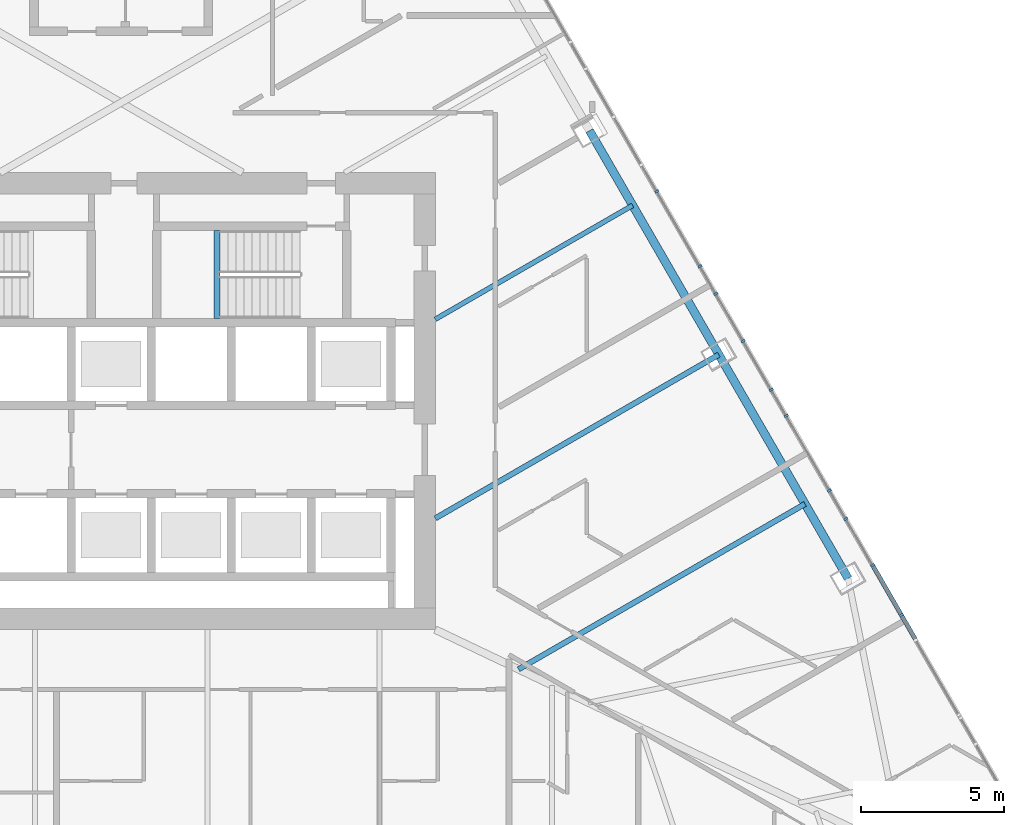
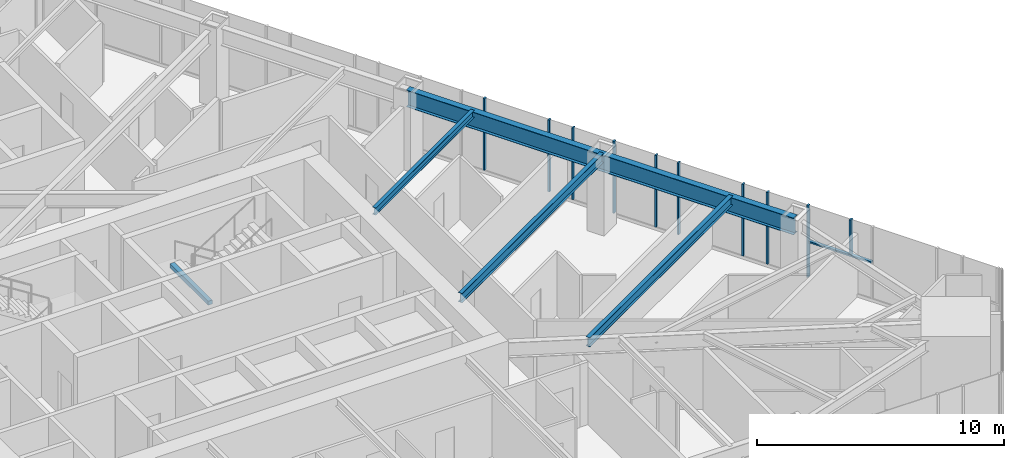
# One storey, part 7 of 32: 11 members, 5 beams, 1 element without a shape of its own.
"""IFC4 building model written with IfcOpenShell, lengths in metres."""

from ifc_helpers import new_model, si_unit, direction, frame, origin, origin_2d, place, context, subcontext, project, spatial, rectangle, i_section, extrude, material, layer, layer_set, material_profile, profile_set, type_object, element, aggregate, save


model = new_model("IFC4")

# Units and contexts
model_context = context("Model", 3, precision=1e-05, world=origin(), true_north=direction((0.0, 1.0)))
body_context = subcontext(model_context, "Body", "Model", "MODEL_VIEW")
ifc_project = project(units=[si_unit("LENGTHUNIT", "METRE"), si_unit("AREAUNIT", "SQUARE_METRE"), si_unit("VOLUMEUNIT", "CUBIC_METRE"), si_unit("PLANEANGLEUNIT", "RADIAN"), si_unit("MASSUNIT", "GRAM", prefix="KILO")], contexts=[model_context])

# Site, building, storey
site_placement = place(None, origin())
site = spatial("IfcSite", under=ifc_project, at=site_placement, CompositionType="ELEMENT")
building_placement = place(site_placement, origin())
building = spatial("IfcBuilding", under=site, at=building_placement, Name="Firuza Gate Tower and Library", CompositionType="ELEMENT")
storey_placement = place(building_placement, frame((0.0, 0.0, 163.60009765625)))
storey = spatial("IfcBuildingStorey", under=building, at=storey_placement, Name="L37", CompositionType="ELEMENT", Elevation=163.60009765625)

# Curtain wall, members
ifc_material_1 = material(Name="Aluminium 6063-T6", Category="aluminium")
ifc_layer = layer(ifc_material_1, 0.14990234375)
ifc_layer_set = layer_set([ifc_layer], Name="Unitised curtain wall, hotel")
curtain_wall_type = type_object("IfcCurtainWallType", Name="Unitised curtain wall, hotel", PredefinedType="NOTDEFINED", material=ifc_layer_set)
curtain_wall_placement = place(storey_placement, origin())
curtain_wall = element("IfcCurtainWall", 1, at=curtain_wall_placement, inside=storey, type_object=curtain_wall_type, Name="CW2 L37 E face", PredefinedType="NOTDEFINED")
ifc_material_2 = material(Name="Aluminium 6063-T6", Category="aluminium")
ifc_material_profile_1 = material_profile(ifc_material_2, rectangle(XDim=0.14990234375, YDim=0.080078125, at=origin_2d()))
ifc_profile_set_1 = profile_set([ifc_material_profile_1], Name="Aluminium 6063-T6")
member_type_1 = type_object("IfcMemberType", Name="Curtain wall mullion 80x150", PredefinedType="MULLION", material=ifc_profile_set_1)
member_1_placement = place(storey_placement, frame((101.314208984375, 69.25, 0.14990234375), z_axis=(0.0, 0.0, 1.0), x_axis=(-0.866025403784, -0.5, 0.0)))
member_1 = element("IfcMember", 2, at=member_1_placement, type_object=member_type_1, Name="Mullion", PredefinedType="MULLION", context=body_context, shape_type="SweptSolid", body=[
    extrude(rectangle(XDim=0.14990234375, YDim=0.080078125, at=origin_2d()), origin(), (0.0, 0.0, 1.0), 3.550048828125),
])
member_2_placement = place(storey_placement, frame((99.802978515625, 71.867919921875, 0.14990234375), z_axis=(0.0, 0.0, 1.0), x_axis=(-0.866025403784, -0.5, 0.0)))
member_2 = element("IfcMember", 3, at=member_2_placement, type_object=member_type_1, Name="Mullion", PredefinedType="MULLION", context=body_context, shape_type="SweptSolid", body=[
    extrude(rectangle(XDim=0.14990234375, YDim=0.080078125, at=origin_2d()), origin(), (0.0, 0.0, 1.0), 3.550048828125),
])
member_3_placement = place(storey_placement, frame((98.29150390625, 74.485595703125, 0.14990234375), z_axis=(0.0, 0.0, 1.0), x_axis=(-0.866025403784, -0.5, 0.0)))
member_3 = element("IfcMember", 4, at=member_3_placement, type_object=member_type_1, Name="Mullion", PredefinedType="MULLION", context=body_context, shape_type="SweptSolid", body=[
    extrude(rectangle(XDim=0.14990234375, YDim=0.080078125, at=origin_2d()), origin(), (0.0, 0.0, 1.0), 3.550048828125),
])
member_4_placement = place(storey_placement, frame((96.780029296875, 77.103515625, 0.14990234375), z_axis=(0.0, 0.0, 1.0), x_axis=(-0.866025403784, -0.5, 0.0)))
member_4 = element("IfcMember", 5, at=member_4_placement, type_object=member_type_1, Name="Mullion", PredefinedType="MULLION", context=body_context, shape_type="SweptSolid", body=[
    extrude(rectangle(XDim=0.14990234375, YDim=0.080078125, at=origin_2d()), origin(), (0.0, 0.0, 1.0), 3.550048828125),
])
member_5_placement = place(storey_placement, frame((95.268798828125, 79.72119140625, 0.14990234375), z_axis=(0.0, 0.0, 1.0), x_axis=(-0.866025403784, -0.5, 0.0)))
member_5 = element("IfcMember", 6, at=member_5_placement, type_object=member_type_1, Name="Mullion", PredefinedType="MULLION", context=body_context, shape_type="SweptSolid", body=[
    extrude(rectangle(XDim=0.14990234375, YDim=0.080078125, at=origin_2d()), origin(), (0.0, 0.0, 1.0), 3.550048828125),
])
member_6_placement = place(storey_placement, frame((93.75732421875, 82.339111328125, 0.14990234375), z_axis=(0.0, 0.0, 1.0), x_axis=(-0.866025403784, -0.5, 0.0)))
member_6 = element("IfcMember", 7, at=member_6_placement, type_object=member_type_1, Name="Mullion", PredefinedType="MULLION", context=body_context, shape_type="SweptSolid", body=[
    extrude(rectangle(XDim=0.14990234375, YDim=0.080078125, at=origin_2d()), origin(), (0.0, 0.0, 1.0), 3.550048828125),
])
member_7_placement = place(storey_placement, frame((102.316650390625, 67.513916015625, 1.96484375), z_axis=(0.0, 0.0, 1.0), x_axis=(-0.866025403784, -0.5, 0.0)))
member_7 = element("IfcMember", 8, at=member_7_placement, type_object=member_type_1, Name="Mullion", PredefinedType="MULLION", context=body_context, shape_type="SweptSolid", body=[
    extrude(rectangle(XDim=0.14990234375, YDim=0.080078125, at=origin_2d()), origin(), (0.0, 0.0, 1.0), 1.735107421875),
])
member_8_placement = place(storey_placement, frame((100.375244140625, 70.876708984375, 0.14990234375), z_axis=(0.0, 0.0, 1.0), x_axis=(-0.866025403784, -0.5, 0.0)))
member_8 = element("IfcMember", 9, at=member_8_placement, type_object=member_type_1, Name="Mullion", PredefinedType="MULLION", context=body_context, shape_type="SweptSolid", body=[
    extrude(rectangle(XDim=0.14990234375, YDim=0.080078125, at=origin_2d()), origin(), (0.0, 0.0, 1.0), 3.550048828125),
])
member_9_placement = place(storey_placement, frame((97.7666015625, 75.394775390625, 0.14990234375), z_axis=(0.0, 0.0, 1.0), x_axis=(-0.866025403784, -0.5, 0.0)))
member_9 = element("IfcMember", 10, at=member_9_placement, type_object=member_type_1, Name="Mullion", PredefinedType="MULLION", context=body_context, shape_type="SweptSolid", body=[
    extrude(rectangle(XDim=0.14990234375, YDim=0.080078125, at=origin_2d()), origin(), (0.0, 0.0, 1.0), 3.550048828125),
])
member_10_placement = place(storey_placement, frame((95.8251953125, 78.757568359375, 0.14990234375), z_axis=(0.0, 0.0, 1.0), x_axis=(-0.866025403784, -0.5, 0.0)))
member_10 = element("IfcMember", 11, at=member_10_placement, type_object=member_type_1, Name="Mullion", PredefinedType="MULLION", context=body_context, shape_type="SweptSolid", body=[
    extrude(rectangle(XDim=0.14990234375, YDim=0.080078125, at=origin_2d()), origin(), (0.0, 0.0, 1.0), 3.550048828125),
])
ifc_material_3 = material(Name="Aluminium 6063-T6", Category="aluminium")
ifc_material_profile_2 = material_profile(ifc_material_3, rectangle(XDim=0.14990234375, YDim=0.080078125, at=origin_2d()))
ifc_profile_set_2 = profile_set([ifc_material_profile_2], Name="Aluminium 6063-T6")
member_type_2 = type_object("IfcMemberType", Name="Curtain wall transom 80x150", PredefinedType="USERDEFINED", material=ifc_profile_set_2)
member_11_placement = place(storey_placement, frame((102.8056640625, 66.666748046875, 1.9248046875), z_axis=(-0.500002522405, 0.866023947468, 0.0), x_axis=(-0.866023947468, -0.500002522405, 0.0)))
member_11 = element("IfcMember", 12, at=member_11_placement, type_object=member_type_2, Name="Transom", ObjectType="TRANSOM", PredefinedType="USERDEFINED", context=body_context, shape_type="SweptSolid", body=[
    extrude(rectangle(XDim=0.14990234375, YDim=0.080078125, at=origin_2d()), origin(), (0.0, 0.0, 1.0), 2.94287109375),
])
aggregate(curtain_wall, [member_1, member_2, member_3, member_4, member_5, member_6, member_7, member_11, member_8, member_9, member_10])

# Beams
ifc_material_4 = material(Name="Concrete C35/45", Category="concrete")
ifc_material_profile_3 = material_profile(ifc_material_4, rectangle(XDim=0.199951171875, YDim=0.199951171875, at=origin_2d()))
ifc_profile_set_3 = profile_set([ifc_material_profile_3], Name="Concrete C35/45")
beam_type_1 = type_object("IfcBeamType", Name="Stair landing bearer 200x200", PredefinedType="BEAM", material=ifc_profile_set_3)
beam_1_placement = place(storey_placement, frame((78.360107421875, 80.97998046875, 1.64990234375), z_axis=(0.0, -1.0, 0.0), x_axis=(1.0, 0.0, 0.0)))
element("IfcBeam", 13, at=beam_1_placement, inside=storey, type_object=beam_type_1, Name="Landing bearer L37 stair 2", PredefinedType="BEAM", context=body_context, shape_type="SweptSolid", body=[
    extrude(rectangle(XDim=0.199951171875, YDim=0.199951171875, at=origin_2d()), origin(), (0.0, 0.0, 1.0), 3.080078125),
])
ifc_material_5 = material(Name="Steel S355", Category="steel")
ifc_material_profile_4 = material_profile(ifc_material_5, i_section(OverallWidth=0.1708984375, OverallDepth=0.35498046875, WebThickness=0.007080078125, FlangeThickness=0.01171875, at=origin_2d()))
ifc_profile_set_4 = profile_set([ifc_material_profile_4], Name="Steel S355")
beam_type_2 = type_object("IfcBeamType", Name="W360x51 Floor beam", PredefinedType="JOIST", material=ifc_profile_set_4)
beam_2_placement = place(storey_placement, frame((92.91064453125, 81.855712890625, 3.5224609375), z_axis=(-0.866031719379, -0.499989060909, 0.0), x_axis=(0.499989060909, -0.866031719379, 0.0)))
element("IfcBeam", 14, at=beam_2_placement, inside=storey, type_object=beam_type_2, Name="Floor beam L37 s52", PredefinedType="JOIST", context=body_context, shape_type="SweptSolid", body=[
    extrude(i_section(OverallWidth=0.1708984375, OverallDepth=0.35498046875, WebThickness=0.007080078125, FlangeThickness=0.01171875, at=origin_2d()), origin(), (0.0, 0.0, 1.0), 7.979736328125),
])
ifc_material_6 = material(Name="Steel S355", Category="steel")
ifc_material_profile_5 = material_profile(ifc_material_6, i_section(OverallWidth=0.18994140625, OverallDepth=0.45703125, WebThickness=0.009033203125, FlangeThickness=0.014404296875, at=origin_2d()))
ifc_profile_set_5 = profile_set([ifc_material_profile_5], Name="Steel S355")
beam_type_3 = type_object("IfcBeamType", Name="W460x74 Floor beam", PredefinedType="JOIST", material=ifc_profile_set_5)
beam_3_placement = place(storey_placement, frame((98.946533203125, 71.401123046875, 3.471435546875), z_axis=(-0.866030793339, -0.499990664901, 0.0), x_axis=(0.499990664901, -0.866030793339, 0.0)))
element("IfcBeam", 15, at=beam_3_placement, inside=storey, type_object=beam_type_3, Name="Floor beam L37 s50", PredefinedType="JOIST", context=body_context, shape_type="SweptSolid", body=[
    extrude(i_section(OverallWidth=0.18994140625, OverallDepth=0.45703125, WebThickness=0.009033203125, FlangeThickness=0.014404296875, at=origin_2d()), origin(), (0.0, 0.0, 1.0), 11.582763671875),
])
beam_4_placement = place(storey_placement, frame((95.928466796875, 76.62841796875, 3.471435546875), z_axis=(-0.866026357233, -0.499998348575, 0.0), x_axis=(0.499998348575, -0.866026357233, 0.0)))
element("IfcBeam", 16, at=beam_4_placement, inside=storey, type_object=beam_type_3, Name="Floor beam L37 s51", PredefinedType="JOIST", context=body_context, shape_type="SweptSolid", body=[
    extrude(i_section(OverallWidth=0.18994140625, OverallDepth=0.45703125, WebThickness=0.009033203125, FlangeThickness=0.014404296875, at=origin_2d()), origin(), (0.0, 0.0, 1.0), 11.46435546875),
])
ifc_material_7 = material(Name="Steel S355", Category="steel")
ifc_material_profile_6 = material_profile(ifc_material_7, i_section(OverallWidth=0.2919921875, OverallDepth=0.8349609375, WebThickness=0.013916015625, FlangeThickness=0.018798828125, at=origin_2d()))
ifc_profile_set_6 = profile_set([ifc_material_profile_6], Name="Steel S355")
beam_type_4 = type_object("IfcBeamType", Name="W840x176 Edge beam", PredefinedType="SPANDREL", material=ifc_profile_set_6)
beam_5_placement = place(storey_placement, frame((100.45556640625, 68.78759765625, 3.282470703125), z_axis=(-0.500000608324, 0.866025052568, 0.0), x_axis=(-0.866025052568, -0.500000608324, 0.0)))
element("IfcBeam", 17, at=beam_5_placement, inside=storey, type_object=beam_type_4, Name="Edge beam L37 e50", PredefinedType="SPANDREL", context=body_context, shape_type="SweptSolid", body=[
    extrude(i_section(OverallWidth=0.2919921875, OverallDepth=0.8349609375, WebThickness=0.013916015625, FlangeThickness=0.018798828125, at=origin_2d()), origin(), (0.0, 0.0, 1.0), 18.10791015625),
])

save(model, "model.ifc")
